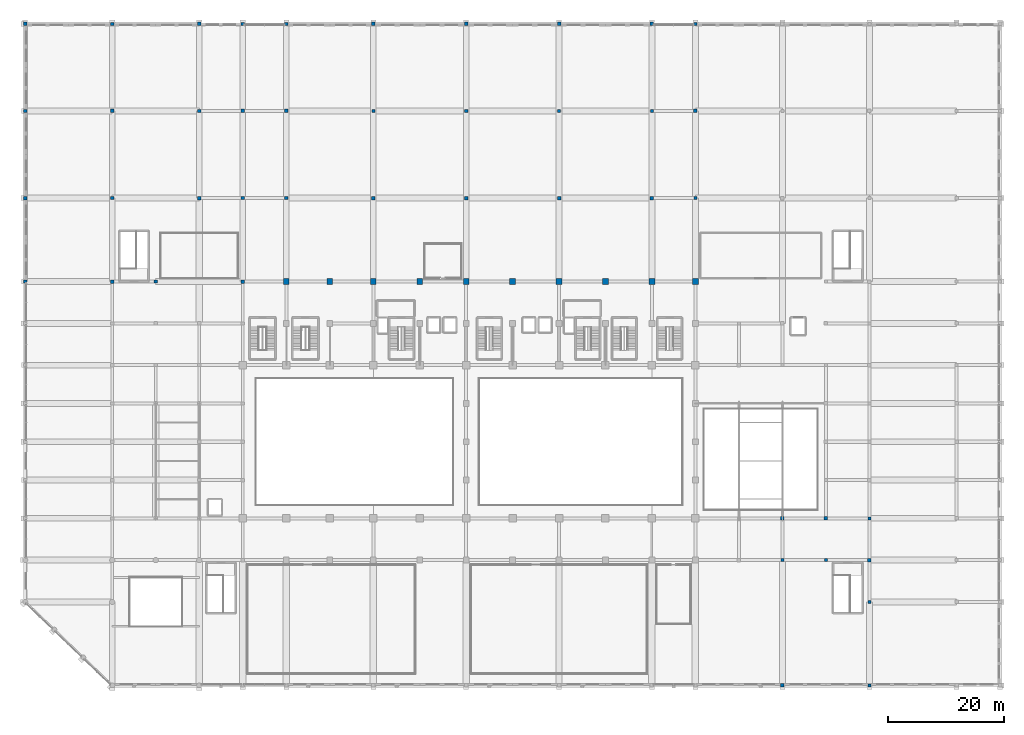
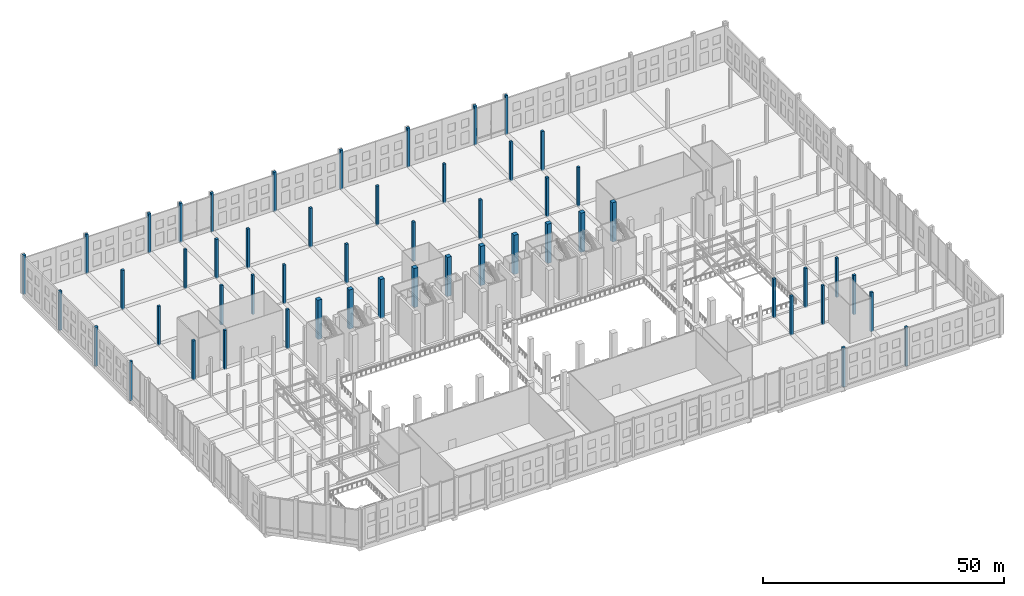
# One storey, part 4 of 80: 53 columns.
"""IFC4 building model written with IfcOpenShell, lengths in metres."""

import ifcopenshell
import ifcopenshell.guid

model = None  # the IFC model being written
_history = None  # IfcOwnerHistory: only IFC2X3 demands one
_inside = {}  # id of a spatial element -> (the spatial element, [elements in it])
_under = {}  # id of a project, library or spatial element -> (it, [spatial elements below it])
_declared = {}  # id of a project -> (the project, [libraries it declares])
_typed = {}  # id of a type object -> (the type object, [elements of that type])
_made_of = {}  # id of a material, layer set ... -> (it, [elements and type objects made of it])


def new_model(schema):
    """Start an empty IFC model of exactly this schema.

    Asked for "IFC4X3", IfcOpenShell would pick the latest addendum, in which some entities
    have other attributes; the version numbers below select the first issue.
    IFC2X3 requires an IfcOwnerHistory on every rooted entity: one is made here for all.
    """
    global model, _history
    if schema == "IFC4X3":
        model = ifcopenshell.file(schema_version=(4, 3, 0, 0))
    else:
        model = ifcopenshell.file(schema=schema)
    _inside.clear()
    _under.clear()
    _declared.clear()
    _typed.clear()
    _made_of.clear()
    _history = None
    if model.schema == "IFC2X3":
        org = make("IfcOrganization", Name="unknown")
        user = make(
            "IfcPersonAndOrganization",
            ThePerson=make("IfcPerson", FamilyName="unknown"),
            TheOrganization=org,
        )
        app = make(
            "IfcApplication",
            ApplicationDeveloper=org,
            Version="unknown",
            ApplicationFullName="unknown",
            ApplicationIdentifier="unknown",
        )
        _history = make(
            "IfcOwnerHistory",
            OwningUser=user,
            OwningApplication=app,
            ChangeAction="ADDED",
            CreationDate=0,
        )
    return model


def make(cls, **values):
    """One entity of the class cls with the attributes given. An attribute that is None is left unset."""
    return model.create_entity(
        cls, **{name: value for name, value in values.items() if value is not None}
    )


def rooted(cls, **values):
    """An entity with a GlobalId (a new one), such as an element, a storey or a relation."""
    return make(cls, GlobalId=ifcopenshell.guid.new(), OwnerHistory=_history, **values)


def si_unit(unit_type, name, prefix=None):
    """IfcSIUnit, for example si_unit("LENGTHUNIT", "METRE", prefix="MILLI")."""
    return make("IfcSIUnit", UnitType=unit_type, Prefix=prefix, Name=name)


def assignment(units):
    """IfcUnitAssignment: the units of a project."""
    return None if units is None else make("IfcUnitAssignment", Units=units)


def point(xyz):
    """IfcCartesianPoint."""
    return None if xyz is None else make("IfcCartesianPoint", Coordinates=xyz)


def direction(xyz):
    """IfcDirection."""
    return None if xyz is None else make("IfcDirection", DirectionRatios=xyz)


def frame(location, z_axis=None, x_axis=None):
    """IfcAxis2Placement3D, a coordinate frame: its origin and axes. An axis left out is left unset."""
    return make(
        "IfcAxis2Placement3D",
        Location=point(location),
        Axis=direction(z_axis),
        RefDirection=direction(x_axis),
    )


def frame_2d(location, x_axis=None):
    """IfcAxis2Placement2D, a coordinate frame in the plane: its origin and x axis."""
    return make(
        "IfcAxis2Placement2D", Location=point(location), RefDirection=direction(x_axis)
    )


def origin():
    """The frame at (0, 0, 0) with its axes left unset."""
    return frame((0.0, 0.0, 0.0))


def origin_2d():
    """The frame at (0, 0) in the plane with its x axis left unset."""
    return frame_2d((0.0, 0.0))


def place(relative_to, where):
    """IfcLocalPlacement: puts the frame where relative to a parent placement (None: the world)."""
    return make(
        "IfcLocalPlacement", PlacementRelTo=relative_to, RelativePlacement=where
    )


def context(
    kind, dimensions, precision=None, world=None, true_north=None, identifier=None
):
    """IfcGeometricRepresentationContext, for example the 3D "Model" context."""
    return make(
        "IfcGeometricRepresentationContext",
        ContextIdentifier=identifier,
        ContextType=kind,
        CoordinateSpaceDimension=dimensions,
        Precision=precision,
        WorldCoordinateSystem=world,
        TrueNorth=true_north,
    )


def subcontext(parent, identifier, kind, view, scale=None):
    """IfcGeometricRepresentationSubContext, for example "Body" below "Model"."""
    return make(
        "IfcGeometricRepresentationSubContext",
        ContextIdentifier=identifier,
        ContextType=kind,
        ParentContext=parent,
        TargetScale=scale,
        TargetView=view,
    )


def project(units=None, contexts=None):
    """IfcProject with its units and contexts."""
    return rooted(
        "IfcProject",
        Name="project",
        RepresentationContexts=contexts,
        UnitsInContext=assignment(units),
    )


def spatial(cls, under=None, at=None, **own):
    """A site, building, storey or space (cls), placed at a placement, below another one or the project."""
    s = rooted(cls, ObjectPlacement=at, **own)
    if under is not None:
        _under.setdefault(under.id(), (under, []))[1].append(s)
    return s


def profile(cls, at=None, kind="AREA", **sizes):
    """A parametric profile (cls). Its sizes go by their IFC names, for example OverallWidth=200.0."""
    return make(cls, ProfileType=kind, Position=at, **sizes)


def rectangle(**sizes):
    """IfcRectangleProfileDef."""
    return profile("IfcRectangleProfileDef", **sizes)


def extrude(swept, where, along, depth):
    """IfcExtrudedAreaSolid: the profile swept, set in the frame where, extruded along a direction by depth."""
    return make(
        "IfcExtrudedAreaSolid",
        SweptArea=swept,
        Position=where,
        ExtrudedDirection=direction(along),
        Depth=depth,
    )


def shape(context_of_items, identifier, shape_type, items):
    """IfcShapeRepresentation: the items that make up one representation, for example the "Body"."""
    return make(
        "IfcShapeRepresentation",
        ContextOfItems=context_of_items,
        RepresentationIdentifier=identifier,
        RepresentationType=shape_type,
        Items=items,
    )


def material(Name=None, Category=None):
    """IfcMaterial."""
    return make("IfcMaterial", Name=Name, Category=Category)


def material_profile(
    of_material, cross_section, Name=None, Category=None, Priority=None
):
    """IfcMaterialProfile: a cross section and its material."""
    return make(
        "IfcMaterialProfile",
        Name=Name,
        Material=of_material,
        Profile=cross_section,
        Priority=Priority,
        Category=Category,
    )


def profile_set(profiles, Name=None, composite=None):
    """IfcMaterialProfileSet."""
    return make(
        "IfcMaterialProfileSet",
        Name=Name,
        MaterialProfiles=profiles,
        CompositeProfile=composite,
    )


def made_of(thing, what):
    """Note that an element or type object is made of a material, layer set ...; save() writes the relation."""
    if what is not None:
        _made_of.setdefault(what.id(), (what, []))[1].append(thing)
    return thing


def type_object(cls, material=None, **own):
    """A type object (cls), such as IfcWallType, which elements share."""
    return made_of(rooted(cls, **own), material)


def element(
    cls,
    number,
    at=None,
    inside=None,
    cuts=None,
    type_object=None,
    material=None,
    context=None,
    identifier="Body",
    shape_type=None,
    held_by="IfcProductDefinitionShape",
    body=None,
    shapes=None,
    **own,
):
    """One element of the class cls, such as IfcWall. Its Tag is "e" and its number.

    at: its placement. inside: the storey or other place that contains it. cuts: it is an
    opening in that element (IfcRelVoidsElement). A single representation is given by context,
    identifier, shape_type and body (its items); several are given by shapes. held_by: the class
    of the entity that holds the representations. save() writes the other relations.
    """
    e = rooted(cls, Tag="e%d" % number, ObjectPlacement=at, **own)
    if body is not None:
        shapes = [shape(context, identifier, shape_type, body)]
    if shapes is not None:
        e.Representation = make(held_by, Representations=shapes)
    if inside is not None:
        _inside.setdefault(inside.id(), (inside, []))[1].append(e)
    if cuts is not None:
        rooted(
            "IfcRelVoidsElement", RelatingBuildingElement=cuts, RelatedOpeningElement=e
        )
    if type_object is not None:
        _typed.setdefault(type_object.id(), (type_object, []))[1].append(e)
    return made_of(e, material)


def aggregate(whole, parts):
    """IfcRelAggregates: a whole, such as a stair, and the parts it consists of."""
    return rooted("IfcRelAggregates", RelatingObject=whole, RelatedObjects=parts)


def save(model, path):
    """Write the relations noted so far, then the file.

    IfcRelAggregates (storeys below a building ...), IfcRelContainedInSpatialStructure (elements
    in a storey), IfcRelDefinesByType, IfcRelAssociatesMaterial and IfcRelDeclares: one each for
    every whole, place, type object, material and project.
    """
    for whole, parts in _under.values():
        aggregate(whole, parts)
    for where, things in _inside.values():
        rooted(
            "IfcRelContainedInSpatialStructure",
            RelatedElements=things,
            RelatingStructure=where,
        )
    for kind, things in _typed.values():
        rooted("IfcRelDefinesByType", RelatedObjects=things, RelatingType=kind)
    for what, things in _made_of.values():
        rooted("IfcRelAssociatesMaterial", RelatedObjects=things, RelatingMaterial=what)
    for by, libraries in _declared.values():
        rooted("IfcRelDeclares", RelatingContext=by, RelatedDefinitions=libraries)
    model.write(path)


model = new_model("IFC4")

# Units and contexts
model_context = context("Model", 3, precision=1e-05, world=origin(), true_north=direction((0.0, 1.0)))
body_context = subcontext(model_context, "Body", "Model", "MODEL_VIEW")
ifc_project = project(units=[si_unit("LENGTHUNIT", "METRE"), si_unit("AREAUNIT", "SQUARE_METRE"), si_unit("VOLUMEUNIT", "CUBIC_METRE"), si_unit("PLANEANGLEUNIT", "RADIAN"), si_unit("MASSUNIT", "GRAM", prefix="KILO")], contexts=[model_context])

# Site, building, storey
site_placement = place(None, origin())
site = spatial("IfcSite", under=ifc_project, at=site_placement, CompositionType="ELEMENT")
building_placement = place(site_placement, origin())
building = spatial("IfcBuilding", under=site, at=building_placement, Name="Akrevak Sports Hall", CompositionType="ELEMENT")
storey_placement = place(building_placement, frame((0.0, 0.0, 14.0)))
storey = spatial("IfcBuildingStorey", under=building, at=storey_placement, Name="L03", CompositionType="ELEMENT", Elevation=14.0)

# Columns
ifc_material_1 = material(Name="Concrete C50/60", Category="concrete")
ifc_material_profile_1 = material_profile(ifc_material_1, rectangle(XDim=1.0, YDim=1.0, at=origin_2d()), Name="RC 1000x1000", Category="concrete")
ifc_profile_set_1 = profile_set([ifc_material_profile_1], Name="Concrete C50/60")
column_type_1 = type_object("IfcColumnType", Name="STR-COL-RC1000", PredefinedType="COLUMN", material=ifc_profile_set_1)
for number, where, z_axis, x_axis, name in (
    (1, (45.0, 69.60009765625, -0.280029296875), (0.0, 0.0, 1.0), (1.0, 0.0, 0.0), "Column 7/K (L03)"),
    (2, (52.5, 69.60009765625, -0.280029296875), (0.0, 0.0, 1.0), (1.0, 0.0, 0.0), "Column 8/K (L03)"),
    (3, (60.0, 69.60009765625, -0.280029296875), (0.0, 0.0, 1.0), (1.0, 0.0, 0.0), "Column 9/K (L03)"),
    (4, (68.0, 69.60009765625, -0.280029296875), (0.0, 0.0, 1.0), (1.0, 0.0, 0.0), "Column 10/K (L03)"),
    (5, (76.0, 69.60009765625, -0.280029296875), (0.0, 0.0, 1.0), (1.0, 0.0, 0.0), "Column 11/K (L03)"),
    (6, (84.0, 69.60009765625, -0.280029296875), (0.0, 0.0, 1.0), (1.0, 0.0, 0.0), "Column 12/K (L03)"),
    (7, (92.0, 69.60009765625, -0.280029296875), (0.0, 0.0, 1.0), (1.0, 0.0, 0.0), "Column 13/K (L03)"),
    (8, (100.0, 69.60009765625, -0.280029296875), (0.0, 0.0, 1.0), (1.0, 0.0, 0.0), "Column 14/K (L03)"),
    (9, (108.0, 69.60009765625, -0.280029296875), (0.0, 0.0, 1.0), (1.0, 0.0, 0.0), "Column 15/K (L03)"),
    (10, (115.5, 69.60009765625, -0.280029296875), (0.0, 0.0, 1.0), (1.0, 0.0, 0.0), "Column 16/K (L03)"),
):
    element("IfcColumn", number, at=place(storey_placement, frame(where, z_axis=z_axis, x_axis=x_axis)), inside=storey, type_object=column_type_1, Name=name, PredefinedType="COLUMN", context=body_context, shape_type="SweptSolid", body=[
        extrude(rectangle(XDim=1.0, YDim=1.0, at=origin_2d()), origin(), (0.0, 0.0, 1.0), 9.929931640625),
    ])
ifc_material_2 = material(Name="Concrete C40/50", Category="concrete")
ifc_material_profile_2 = material_profile(ifc_material_2, rectangle(XDim=0.550048828125, YDim=0.550048828125, at=origin_2d()), Name="RC 550x550", Category="concrete")
ifc_profile_set_2 = profile_set([ifc_material_profile_2], Name="Concrete C40/50")
column_type_2 = type_object("IfcColumnType", Name="STR-COL-RC550", PredefinedType="COLUMN", material=ifc_profile_set_2)
for number, where, z_axis, x_axis, name in (
    (11, (0.0, 69.60009765625, -0.280029296875), (0.0, 0.0, 1.0), (1.0, 0.0, 0.0), "Column 1/K (L03)"),
    (12, (0.0, 99.0, -0.280029296875), (0.0, 0.0, 1.0), (1.0, 0.0, 0.0), "Column 1/O (L03)"),
    (13, (15.0, 84.0, -0.280029296875), (0.0, 0.0, 1.0), (1.0, 0.0, 0.0), "Column 3/M (L03)"),
    (14, (15.0, 114.0, -0.280029296875), (0.0, 0.0, 1.0), (1.0, 0.0, 0.0), "Column 3/Q (L03)"),
    (15, (22.5, 69.60009765625, -0.280029296875), (0.0, 0.0, 1.0), (1.0, 0.0, 0.0), "Column 4/K (L03)"),
    (16, (30.0, 99.0, -0.280029296875), (0.0, 0.0, 1.0), (1.0, 0.0, 0.0), "Column 5/O (L03)"),
    (17, (37.5, 84.0, -0.280029296875), (0.0, 0.0, 1.0), (1.0, 0.0, 0.0), "Column 6/M (L03)"),
    (18, (37.5, 114.0, -0.280029296875), (0.0, 0.0, 1.0), (1.0, 0.0, 0.0), "Column 6/Q (L03)"),
    (19, (45.0, 84.0, -0.280029296875), (0.0, 0.0, 1.0), (1.0, 0.0, 0.0), "Column 7/M (L03)"),
    (20, (45.0, 114.0, -0.280029296875), (0.0, 0.0, 1.0), (1.0, 0.0, 0.0), "Column 7/Q (L03)"),
    (21, (60.0, 99.0, -0.280029296875), (0.0, 0.0, 1.0), (1.0, 0.0, 0.0), "Column 9/O (L03)"),
    (22, (76.0, 99.0, -0.280029296875), (0.0, 0.0, 1.0), (1.0, 0.0, 0.0), "Column 11/O (L03)"),
    (23, (92.0, 99.0, -0.280029296875), (0.0, 0.0, 1.0), (1.0, 0.0, 0.0), "Column 13/O (L03)"),
    (24, (108.0, 99.0, -0.280029296875), (0.0, 0.0, 1.0), (1.0, 0.0, 0.0), "Column 15/O (L03)"),
    (25, (115.5, 84.0, -0.280029296875), (0.0, 0.0, 1.0), (1.0, 0.0, 0.0), "Column 16/M (L03)"),
    (26, (115.5, 114.0, -0.280029296875), (0.0, 0.0, 1.0), (1.0, 0.0, 0.0), "Column 16/Q (L03)"),
    (27, (130.5, 21.60009765625, -0.280029296875), (0.0, 0.0, 1.0), (1.0, 0.0, 0.0), "Column 18/D (L03)"),
    (28, (138.0, 21.60009765625, -0.280029296875), (0.0, 0.0, 1.0), (1.0, 0.0, 0.0), "Column 19/D (L03)"),
    (29, (145.5, 0.0, -0.280029296875), (0.0, 0.0, 1.0), (1.0, 0.0, 0.0), "Column 20/A (L03)"),
    (30, (145.5, 14.39990234375, -0.280029296875), (0.0, 0.0, 1.0), (1.0, 0.0, 0.0), "Column 20/C (L03)"),
    (31, (145.5, 28.800048828125, -0.280029296875), (0.0, 0.0, 1.0), (1.0, 0.0, 0.0), "Column 20/E (L03)"),
):
    element("IfcColumn", number, at=place(storey_placement, frame(where, z_axis=z_axis, x_axis=x_axis)), inside=storey, type_object=column_type_2, Name=name, PredefinedType="COLUMN", context=body_context, shape_type="SweptSolid", body=[
        extrude(rectangle(XDim=0.550048828125, YDim=0.550048828125, at=origin_2d()), origin(), (0.0, 0.0, 1.0), 9.929931640625),
    ])
ifc_material_profile_3 = material_profile(ifc_material_2, rectangle(XDim=0.60009765625, YDim=0.60009765625, at=origin_2d()), Name="RC 600x600", Category="concrete")
ifc_profile_set_3 = profile_set([ifc_material_profile_3], Name="Concrete C40/50")
column_type_3 = type_object("IfcColumnType", Name="STR-COL-RC600", PredefinedType="COLUMN", material=ifc_profile_set_3)
for number, where, z_axis, x_axis, name in (
    (32, (0.0, 84.0, -0.280029296875), (0.0, 0.0, 1.0), (1.0, 0.0, 0.0), "Column 1/M (L03)"),
    (33, (0.0, 114.0, -0.280029296875), (0.0, 0.0, 1.0), (1.0, 0.0, 0.0), "Column 1/Q (L03)"),
    (34, (15.0, 69.60009765625, -0.280029296875), (0.0, 0.0, 1.0), (1.0, 0.0, 0.0), "Column 3/K (L03)"),
    (35, (15.0, 99.0, -0.280029296875), (0.0, 0.0, 1.0), (1.0, 0.0, 0.0), "Column 3/O (L03)"),
    (36, (30.0, 84.0, -0.280029296875), (0.0, 0.0, 1.0), (1.0, 0.0, 0.0), "Column 5/M (L03)"),
    (37, (30.0, 114.0, -0.280029296875), (0.0, 0.0, 1.0), (1.0, 0.0, 0.0), "Column 5/Q (L03)"),
    (38, (37.5, 69.60009765625, -0.280029296875), (0.0, 0.0, 1.0), (1.0, 0.0, 0.0), "Column 6/K (L03)"),
    (39, (37.5, 99.0, -0.280029296875), (0.0, 0.0, 1.0), (1.0, 0.0, 0.0), "Column 6/O (L03)"),
    (40, (45.0, 99.0, -0.280029296875), (0.0, 0.0, 1.0), (1.0, 0.0, 0.0), "Column 7/O (L03)"),
    (41, (60.0, 84.0, -0.280029296875), (0.0, 0.0, 1.0), (1.0, 0.0, 0.0), "Column 9/M (L03)"),
    (42, (60.0, 114.0, -0.280029296875), (0.0, 0.0, 1.0), (1.0, 0.0, 0.0), "Column 9/Q (L03)"),
    (43, (76.0, 84.0, -0.280029296875), (0.0, 0.0, 1.0), (1.0, 0.0, 0.0), "Column 11/M (L03)"),
    (44, (76.0, 114.0, -0.280029296875), (0.0, 0.0, 1.0), (1.0, 0.0, 0.0), "Column 11/Q (L03)"),
    (45, (92.0, 84.0, -0.280029296875), (0.0, 0.0, 1.0), (1.0, 0.0, 0.0), "Column 13/M (L03)"),
    (46, (92.0, 114.0, -0.280029296875), (0.0, 0.0, 1.0), (1.0, 0.0, 0.0), "Column 13/Q (L03)"),
    (47, (108.0, 84.0, -0.280029296875), (0.0, 0.0, 1.0), (1.0, 0.0, 0.0), "Column 15/M (L03)"),
    (48, (108.0, 114.0, -0.280029296875), (0.0, 0.0, 1.0), (1.0, 0.0, 0.0), "Column 15/Q (L03)"),
    (49, (115.5, 99.0, -0.280029296875), (0.0, 0.0, 1.0), (1.0, 0.0, 0.0), "Column 16/O (L03)"),
    (50, (130.5, 0.0, -0.280029296875), (0.0, 0.0, 1.0), (1.0, 0.0, 0.0), "Column 18/A (L03)"),
    (51, (130.5, 28.800048828125, -0.280029296875), (0.0, 0.0, 1.0), (1.0, 0.0, 0.0), "Column 18/E (L03)"),
    (52, (138.0, 28.800048828125, -0.280029296875), (0.0, 0.0, 1.0), (1.0, 0.0, 0.0), "Column 19/E (L03)"),
    (53, (145.5, 21.60009765625, -0.280029296875), (0.0, 0.0, 1.0), (1.0, 0.0, 0.0), "Column 20/D (L03)"),
):
    element("IfcColumn", number, at=place(storey_placement, frame(where, z_axis=z_axis, x_axis=x_axis)), inside=storey, type_object=column_type_3, Name=name, PredefinedType="COLUMN", context=body_context, shape_type="SweptSolid", body=[
        extrude(rectangle(XDim=0.60009765625, YDim=0.60009765625, at=origin_2d()), origin(), (0.0, 0.0, 1.0), 9.929931640625),
    ])

save(model, "model.ifc")
